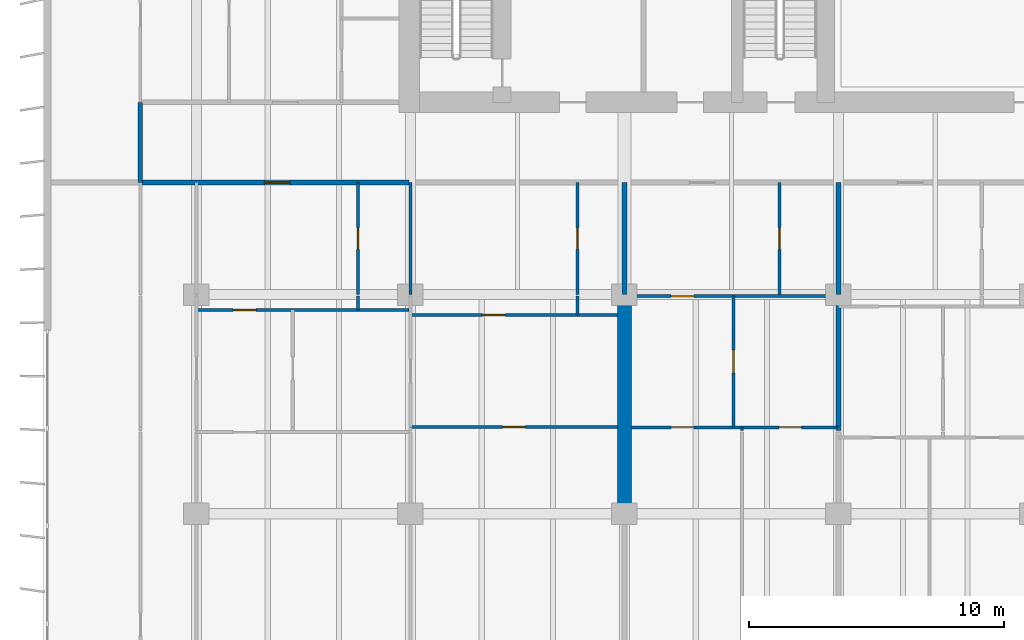
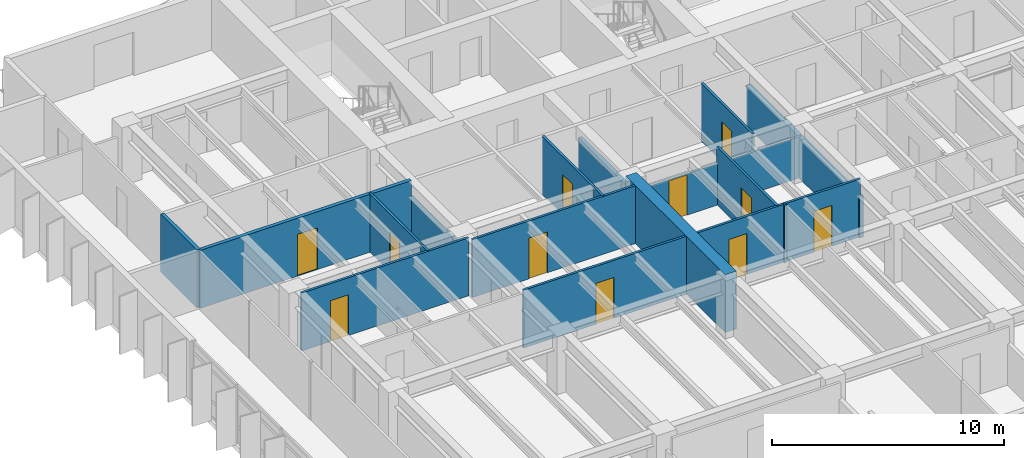
# One storey, part 7 of 19: 20 walls, 11 doors, 11 openings.
"""IFC4 building model written with IfcOpenShell, lengths in metres."""

from ifc_helpers import new_model, si_unit, direction, frame, frame_2d, origin, place, context, subcontext, project, spatial, rectangle, extrude, material, layer, layer_set, type_object, element, fill, save


model = new_model("IFC4")

# Units and contexts
model_context = context("Model", 3, precision=1e-05, world=origin(), true_north=direction((0.0, 1.0)))
body_context = subcontext(model_context, "Body", "Model", "MODEL_VIEW")
ifc_project = project(units=[si_unit("LENGTHUNIT", "METRE"), si_unit("AREAUNIT", "SQUARE_METRE"), si_unit("VOLUMEUNIT", "CUBIC_METRE"), si_unit("PLANEANGLEUNIT", "RADIAN"), si_unit("MASSUNIT", "GRAM", prefix="KILO")], contexts=[model_context])

# Site, building, storey
site_placement = place(None, origin())
site = spatial("IfcSite", under=ifc_project, at=site_placement, CompositionType="ELEMENT")
building_placement = place(site_placement, origin())
building = spatial("IfcBuilding", under=site, at=building_placement, Name="Caelmar Bay Residences", CompositionType="ELEMENT")
storey_placement = place(building_placement, frame((0.0, 0.0, 91.199951171875)))
storey = spatial("IfcBuildingStorey", under=building, at=storey_placement, Name="L24", CompositionType="ELEMENT", Elevation=91.199951171875)

# Walls
ifc_material_1 = material(Name="Concrete f'c 70 MPa (10,000 psi)", Category="concrete")
ifc_layer_1 = layer(ifc_material_1, 0.550048828125)
ifc_layer_set_1 = layer_set([ifc_layer_1], Name="Concrete f'c 70 MPa (10,000 psi)")
wall_type_1 = type_object("IfcWallType", Name="SW-XSLB-550", PredefinedType="SHEAR", material=ifc_layer_set_1)
wall_1_placement = place(storey_placement, frame((26.699951171875, 20.800048828125, 0.0), z_axis=(0.0, 0.0, 1.0), x_axis=(0.0, 1.0, 0.0)))
element("IfcWall", 1, at=wall_1_placement, inside=storey, type_object=wall_type_1, Name="L24 Transverse Cross-Slab Shear Wall W5", PredefinedType="SHEAR", context=body_context, shape_type="SweptSolid", body=[
    extrude(rectangle(XDim=8.599853515625, YDim=0.550048828125, at=frame_2d((4.2998046875, 0.0))), origin(), (0.0, 0.0, 1.0), 3.050048828125),
])
ifc_material_2 = material(Name="Double-stud acoustic fire-rated gypsum partition 180 mm")
ifc_layer_2 = layer(ifc_material_2, 0.179931640625)
ifc_layer_set_2 = layer_set([ifc_layer_2], Name="Double-stud acoustic fire-rated gypsum partition 180 mm")
wall_type_2 = type_object("IfcWallType", Name="W-COR-200", PredefinedType="PARTITIONING", material=ifc_layer_set_2)
wall_2_placement = place(storey_placement, frame((7.699951171875, 33.804931640625, 0.0), z_axis=(0.0, 0.0, 1.0), x_axis=(0.0, 1.0, 0.0)))
element("IfcWall", 2, at=wall_2_placement, inside=storey, type_object=wall_type_2, Name="L24 Partition Wall V005", PredefinedType="PARTITIONING", context=body_context, shape_type="SweptSolid", body=[
    extrude(rectangle(XDim=3.14501953125, YDim=0.179931640625, at=frame_2d((1.572509765625, 0.0))), origin(), (0.0, 0.0, 1.0), 3.050048828125),
])

# Wall, opening, door
wall_3_placement = place(storey_placement, frame((7.705078125, 33.800048828125, 0.0), z_axis=(0.0, 0.0, 1.0), x_axis=(1.0, 0.0, 0.0)))
wall_3 = element("IfcWall", 3, at=wall_3_placement, inside=storey, type_object=wall_type_2, Name="L24 Partition Wall H119", PredefinedType="PARTITIONING", context=body_context, shape_type="SweptSolid", body=[
    extrude(rectangle(XDim=10.544921875, YDim=0.179931640625, at=frame_2d((5.2724609375, 0.0))), origin(), (0.0, 0.0, 1.0), 3.050048828125),
])
opening_1_placement = place(wall_3_placement, frame((4.864990234375, 0.0, 0.0)))
opening_1 = element("IfcOpeningElement", 4, at=opening_1_placement, cuts=wall_3, Name="Opening D-L24-119", PredefinedType="OPENING", context=body_context, shape_type="SweptSolid", body=[
    extrude(rectangle(XDim=1.0, YDim=2.199951171875, at=frame_2d((0.5, 1.10009765625))), frame((0.0, 0.099853515625, 0.0), z_axis=(0.0, -1.0, 0.0), x_axis=(1.0, 0.0, 0.0)), (0.0, 0.0, 1.0), 0.199951171875),
])
ifc_material_3 = material(Name="Fire-rated steel and walnut architectural door assembly", Category="steel")
ifc_layer_3 = layer(ifc_material_3, 0.050048828125)
ifc_layer_set_3 = layer_set([ifc_layer_3], Name="Fire-rated steel and walnut architectural door assembly")
door_type_1 = type_object("IfcDoorType", Name="D-UNIT-1000", OperationType="NOTDEFINED", PredefinedType="DOOR", material=ifc_layer_set_3)
door_1_placement = place(opening_1_placement, origin())
door_1 = element("IfcDoor", 5, at=door_1_placement, inside=storey, type_object=door_type_1, Name="L24 Residence 01 Apartment Hall Door", OperationType="SINGLE_SWING_RIGHT", OverallHeight=2.199951171875, OverallWidth=1.0, PredefinedType="DOOR", context=body_context, shape_type="SweptSolid", body=[
    extrude(rectangle(XDim=1.0, YDim=2.199951171875, at=frame_2d((0.5, 1.10009765625))), frame((0.0, 0.02490234375, 0.0), z_axis=(0.0, -1.0, 0.0), x_axis=(1.0, 0.0, 0.0)), (0.0, 0.0, 1.0), 0.050048828125),
])
fill(opening_1, door_1)

# Wall
ifc_material_4 = material(Name="Acoustic metal-stud gypsum partition 120 mm")
ifc_layer_4 = layer(ifc_material_4, 0.1201171875)
ifc_layer_set_4 = layer_set([ifc_layer_4], Name="Acoustic metal-stud gypsum partition 120 mm")
wall_type_3 = type_object("IfcWallType", Name="W-PRT-120", PredefinedType="PARTITIONING", material=ifc_layer_set_4)
wall_4_placement = place(storey_placement, frame((16.239990234375, 28.800048828125, 0.0), z_axis=(0.0, 0.0, 1.0), x_axis=(0.0, 1.0, 0.0)))
element("IfcWall", 6, at=wall_4_placement, inside=storey, type_object=wall_type_3, Name="L24 Partition Wall V017", PredefinedType="PARTITIONING", context=body_context, shape_type="SweptSolid", body=[
    extrude(rectangle(XDim=0.5400390625, YDim=0.1201171875, at=frame_2d((0.27001953125, 0.0))), origin(), (0.0, 0.0, 1.0), 3.050048828125),
])

# Wall, opening, door
wall_5_placement = place(storey_placement, frame((16.239990234375, 29.39990234375, 0.0), z_axis=(0.0, 0.0, 1.0), x_axis=(0.0, 1.0, 0.0)))
wall_5 = element("IfcWall", 7, at=wall_5_placement, inside=storey, type_object=wall_type_3, Name="L24 Partition Wall V018", PredefinedType="PARTITIONING", context=body_context, shape_type="SweptSolid", body=[
    extrude(rectangle(XDim=4.400146484375, YDim=0.1201171875, at=frame_2d((2.2001953125, 0.0))), origin(), (0.0, 0.0, 1.0), 3.050048828125),
])
opening_2_placement = place(wall_5_placement, frame((1.77490234375, 0.0, 0.0)))
opening_2 = element("IfcOpeningElement", 8, at=opening_2_placement, cuts=wall_5, Name="Opening D-L24-120", PredefinedType="OPENING", context=body_context, shape_type="SweptSolid", body=[
    extrude(rectangle(XDim=0.85009765625, YDim=2.10009765625, at=frame_2d((0.425048828125, 1.050048828125))), frame((0.0, 0.070068359375, 0.0), z_axis=(0.0, -1.0, 0.0), x_axis=(1.0, 0.0, 0.0)), (0.0, 0.0, 1.0), 0.14013671875),
])
ifc_material_5 = material(Name="Solid walnut timber interior door leaf and frame", Category="wood")
ifc_layer_5 = layer(ifc_material_5, 0.050048828125)
ifc_layer_set_5 = layer_set([ifc_layer_5], Name="Solid walnut timber interior door leaf and frame")
door_type_2 = type_object("IfcDoorType", Name="D-BATH-850", OperationType="NOTDEFINED", PredefinedType="DOOR", material=ifc_layer_set_5)
door_2_placement = place(opening_2_placement, origin())
door_2 = element("IfcDoor", 9, at=door_2_placement, inside=storey, type_object=door_type_2, Name="L24 Residence 01 Guest Bathroom Door", OperationType="SINGLE_SWING_LEFT", OverallHeight=2.10009765625, OverallWidth=0.85009765625, PredefinedType="DOOR", context=body_context, shape_type="SweptSolid", body=[
    extrude(rectangle(XDim=0.85009765625, YDim=2.10009765625, at=frame_2d((0.425048828125, 1.050048828125))), frame((0.0, 0.02490234375, 0.0), z_axis=(0.0, -1.0, 0.0), x_axis=(1.0, 0.0, 0.0)), (0.0, 0.0, 1.0), 0.050048828125),
])
fill(opening_2, door_2)

# Walls
wall_6_placement = place(storey_placement, frame((18.300048828125, 29.39990234375, 0.0), z_axis=(0.0, 0.0, 1.0), x_axis=(0.0, 1.0, 0.0)))
element("IfcWall", 10, at=wall_6_placement, inside=storey, type_object=wall_type_3, Name="L24 Partition Wall V023", PredefinedType="PARTITIONING", context=body_context, shape_type="SweptSolid", body=[
    extrude(rectangle(XDim=4.400146484375, YDim=0.1201171875, at=frame_2d((2.2001953125, 0.0))), origin(), (0.0, 0.0, 1.0), 2.174072265625),
])
wall_7_placement = place(storey_placement, frame((24.85400390625, 28.60009765625, 0.0), z_axis=(0.0, 0.0, 1.0), x_axis=(0.0, 1.0, 0.0)))
element("IfcWall", 11, at=wall_7_placement, inside=storey, type_object=wall_type_3, Name="L24 Partition Wall V025", PredefinedType="PARTITIONING", context=body_context, shape_type="SweptSolid", body=[
    extrude(rectangle(XDim=0.739990234375, YDim=0.1201171875, at=frame_2d((0.3701171875, 0.0))), origin(), (0.0, 0.0, 1.0), 3.050048828125),
])

# Wall, opening, door
wall_8_placement = place(storey_placement, frame((24.85400390625, 29.39990234375, 0.0), z_axis=(0.0, 0.0, 1.0), x_axis=(0.0, 1.0, 0.0)))
wall_8 = element("IfcWall", 12, at=wall_8_placement, inside=storey, type_object=wall_type_3, Name="L24 Partition Wall V026", PredefinedType="PARTITIONING", context=body_context, shape_type="SweptSolid", body=[
    extrude(rectangle(XDim=4.400146484375, YDim=0.1201171875, at=frame_2d((2.2001953125, 0.0))), origin(), (0.0, 0.0, 1.0), 3.050048828125),
])
opening_3_placement = place(wall_8_placement, frame((1.77490234375, 0.0, 0.0)))
opening_3 = element("IfcOpeningElement", 13, at=opening_3_placement, cuts=wall_8, Name="Opening D-L24-126", PredefinedType="OPENING", context=body_context, shape_type="SweptSolid", body=[
    extrude(rectangle(XDim=0.85009765625, YDim=2.10009765625, at=frame_2d((0.425048828125, 1.050048828125))), frame((0.0, 0.070068359375, 0.0), z_axis=(0.0, -1.0, 0.0), x_axis=(1.0, 0.0, 0.0)), (0.0, 0.0, 1.0), 0.14013671875),
])
door_3_placement = place(opening_3_placement, origin())
door_3 = element("IfcDoor", 14, at=door_3_placement, inside=storey, type_object=door_type_2, Name="L24 Residence 01 En-Suite Bathroom 1 Door", OperationType="SINGLE_SWING_LEFT", OverallHeight=2.10009765625, OverallWidth=0.85009765625, PredefinedType="DOOR", context=body_context, shape_type="SweptSolid", body=[
    extrude(rectangle(XDim=0.85009765625, YDim=2.10009765625, at=frame_2d((0.425048828125, 1.050048828125))), frame((0.0, 0.02490234375, 0.0), z_axis=(0.0, -1.0, 0.0), x_axis=(1.0, 0.0, 0.0)), (0.0, 0.0, 1.0), 0.050048828125),
])
fill(opening_3, door_3)

wall_9_placement = place(storey_placement, frame((30.986083984375, 24.199951171875, 0.0), z_axis=(0.0, 0.0, 1.0), x_axis=(0.0, 1.0, 0.0)))
wall_9 = element("IfcWall", 15, at=wall_9_placement, inside=storey, type_object=wall_type_3, Name="L24 Partition Wall V033", PredefinedType="PARTITIONING", context=body_context, shape_type="SweptSolid", body=[
    extrude(rectangle(XDim=5.14013671875, YDim=0.1201171875, at=frame_2d((2.570068359375, 0.0))), origin(), (0.0, 0.0, 1.0), 3.050048828125),
])
opening_4_placement = place(wall_9_placement, frame((2.1201171875, 0.0, 0.0)))
opening_4 = element("IfcOpeningElement", 16, at=opening_4_placement, cuts=wall_9, Name="Opening D-L24-133", PredefinedType="OPENING", context=body_context, shape_type="SweptSolid", body=[
    extrude(rectangle(XDim=0.89990234375, YDim=2.14990234375, at=frame_2d((0.449951171875, 1.074951171875))), frame((0.0, 0.070068359375, 0.0), z_axis=(0.0, -1.0, 0.0), x_axis=(1.0, 0.0, 0.0)), (0.0, 0.0, 1.0), 0.14013671875),
])
ifc_layer_6 = layer(ifc_material_5, 0.050048828125)
ifc_layer_set_6 = layer_set([ifc_layer_6], Name="Solid walnut timber interior door leaf and frame")
door_type_3 = type_object("IfcDoorType", Name="D-ROOM-900", OperationType="NOTDEFINED", PredefinedType="DOOR", material=ifc_layer_set_6)
door_4_placement = place(opening_4_placement, origin())
door_4 = element("IfcDoor", 17, at=door_4_placement, inside=storey, type_object=door_type_3, Name="L24 Residence 02 Home Office Door", OperationType="SINGLE_SWING_RIGHT", OverallHeight=2.14990234375, OverallWidth=0.89990234375, PredefinedType="DOOR", context=body_context, shape_type="SweptSolid", body=[
    extrude(rectangle(XDim=0.89990234375, YDim=2.14990234375, at=frame_2d((0.449951171875, 1.074951171875))), frame((0.0, 0.02490234375, 0.0), z_axis=(0.0, -1.0, 0.0), x_axis=(1.0, 0.0, 0.0)), (0.0, 0.0, 1.0), 0.050048828125),
])
fill(opening_4, door_4)

# Wall
wall_10_placement = place(storey_placement, frame((31.320068359375, 24.070068359375, 0.0), z_axis=(0.0, 0.0, 1.0), x_axis=(0.0, 1.0, 0.0)))
element("IfcWall", 18, at=wall_10_placement, inside=storey, type_object=wall_type_3, Name="L24 Partition Wall V036", PredefinedType="PARTITIONING", context=body_context, shape_type="SweptSolid", body=[
    extrude(rectangle(XDim=0.119873046875, YDim=0.1201171875, at=frame_2d((0.06005859375, 0.0))), origin(), (0.0, 0.0, 1.0), 3.050048828125),
])

# Wall, opening, door
wall_11_placement = place(storey_placement, frame((32.791015625, 29.39990234375, 0.0), z_axis=(0.0, 0.0, 1.0), x_axis=(0.0, 1.0, 0.0)))
wall_11 = element("IfcWall", 19, at=wall_11_placement, inside=storey, type_object=wall_type_3, Name="L24 Partition Wall V037", PredefinedType="PARTITIONING", context=body_context, shape_type="SweptSolid", body=[
    extrude(rectangle(XDim=4.400146484375, YDim=0.1201171875, at=frame_2d((2.2001953125, 0.0))), origin(), (0.0, 0.0, 1.0), 3.050048828125),
])
opening_5_placement = place(wall_11_placement, frame((1.77490234375, 0.0, 0.0)))
opening_5 = element("IfcOpeningElement", 20, at=opening_5_placement, cuts=wall_11, Name="Opening D-L24-131", PredefinedType="OPENING", context=body_context, shape_type="SweptSolid", body=[
    extrude(rectangle(XDim=0.85009765625, YDim=2.10009765625, at=frame_2d((0.425048828125, 1.050048828125))), frame((0.0, 0.070068359375, 0.0), z_axis=(0.0, -1.0, 0.0), x_axis=(1.0, 0.0, 0.0)), (0.0, 0.0, 1.0), 0.14013671875),
])
door_5_placement = place(opening_5_placement, origin())
door_5 = element("IfcDoor", 21, at=door_5_placement, inside=storey, type_object=door_type_2, Name="L24 Residence 02 Bathroom Door", OperationType="SINGLE_SWING_RIGHT", OverallHeight=2.10009765625, OverallWidth=0.85009765625, PredefinedType="DOOR", context=body_context, shape_type="SweptSolid", body=[
    extrude(rectangle(XDim=0.85009765625, YDim=2.10009765625, at=frame_2d((0.425048828125, 1.050048828125))), frame((0.0, 0.02490234375, 0.0), z_axis=(0.0, -1.0, 0.0), x_axis=(1.0, 0.0, 0.0)), (0.0, 0.0, 1.0), 0.050048828125),
])
fill(opening_5, door_5)

# Wall, openings, doors
wall_12_placement = place(storey_placement, frame((26.969970703125, 24.18994140625, 0.0), z_axis=(0.0, 0.0, 1.0), x_axis=(1.0, 0.0, 0.0)))
wall_12 = element("IfcWall", 22, at=wall_12_placement, inside=storey, type_object=wall_type_3, Name="L24 Partition Wall H108", PredefinedType="PARTITIONING", context=body_context, shape_type="SweptSolid", body=[
    extrude(rectangle(XDim=8.130126953125, YDim=0.1201171875, at=frame_2d((4.06494140625, 0.0))), origin(), (0.0, 0.0, 1.0), 3.050048828125),
])
opening_6_placement = place(wall_12_placement, frame((1.55810546875, 0.0, 0.0)))
opening_6 = element("IfcOpeningElement", 23, at=opening_6_placement, cuts=wall_12, Name="Opening D-L24-134", PredefinedType="OPENING", context=body_context, shape_type="SweptSolid", body=[
    extrude(rectangle(XDim=0.89990234375, YDim=2.14990234375, at=frame_2d((0.449951171875, 1.074951171875))), frame((0.0, 0.070068359375, 0.0), z_axis=(0.0, -1.0, 0.0), x_axis=(1.0, 0.0, 0.0)), (0.0, 0.0, 1.0), 0.14013671875),
])
opening_7_placement = place(wall_12_placement, frame((5.7900390625, 0.0, 0.0)))
opening_7 = element("IfcOpeningElement", 24, at=opening_7_placement, cuts=wall_12, Name="Opening D-L24-135", PredefinedType="OPENING", context=body_context, shape_type="SweptSolid", body=[
    extrude(rectangle(XDim=0.89990234375, YDim=2.14990234375, at=frame_2d((0.449951171875, 1.074951171875))), frame((0.0, 0.070068359375, 0.0), z_axis=(0.0, -1.0, 0.0), x_axis=(1.0, 0.0, 0.0)), (0.0, 0.0, 1.0), 0.14013671875),
])
door_6_placement = place(opening_6_placement, origin())
door_6 = element("IfcDoor", 25, at=door_6_placement, inside=storey, type_object=door_type_3, Name="L24 Residence 02 Penthouse Living Salon Door", OperationType="SINGLE_SWING_LEFT", OverallHeight=2.14990234375, OverallWidth=0.89990234375, PredefinedType="DOOR", context=body_context, shape_type="SweptSolid", body=[
    extrude(rectangle(XDim=0.89990234375, YDim=2.14990234375, at=frame_2d((0.449951171875, 1.074951171875))), frame((0.0, 0.02490234375, 0.0), z_axis=(0.0, -1.0, 0.0), x_axis=(1.0, 0.0, 0.0)), (0.0, 0.0, 1.0), 0.050048828125),
])
fill(opening_6, door_6)
door_7_placement = place(opening_7_placement, origin())
door_7 = element("IfcDoor", 26, at=door_7_placement, inside=storey, type_object=door_type_3, Name="L24 Residence 02 Penthouse Sitting Room Door", OperationType="SINGLE_SWING_RIGHT", OverallHeight=2.14990234375, OverallWidth=0.89990234375, PredefinedType="DOOR", context=body_context, shape_type="SweptSolid", body=[
    extrude(rectangle(XDim=0.89990234375, YDim=2.14990234375, at=frame_2d((0.449951171875, 1.074951171875))), frame((0.0, 0.02490234375, 0.0), z_axis=(0.0, -1.0, 0.0), x_axis=(1.0, 0.0, 0.0)), (0.0, 0.0, 1.0), 0.050048828125),
])
fill(opening_7, door_7)

# Wall, opening, door
wall_13_placement = place(storey_placement, frame((18.300048828125, 24.199951171875, 0.0), z_axis=(0.0, 0.0, 1.0), x_axis=(1.0, 0.0, 0.0)))
wall_13 = element("IfcWall", 27, at=wall_13_placement, inside=storey, type_object=wall_type_3, Name="L24 Partition Wall H109", PredefinedType="PARTITIONING", context=body_context, shape_type="SweptSolid", body=[
    extrude(rectangle(XDim=8.1298828125, YDim=0.1201171875, at=frame_2d((4.06494140625, 0.0))), origin(), (0.0, 0.0, 1.0), 3.050048828125),
])
opening_8_placement = place(wall_13_placement, frame((3.614990234375, 0.0, 0.0)))
opening_8 = element("IfcOpeningElement", 28, at=opening_8_placement, cuts=wall_13, Name="Opening D-L24-127", PredefinedType="OPENING", context=body_context, shape_type="SweptSolid", body=[
    extrude(rectangle(XDim=0.89990234375, YDim=2.14990234375, at=frame_2d((0.449951171875, 1.074951171875))), frame((0.0, 0.070068359375, 0.0), z_axis=(0.0, -1.0, 0.0), x_axis=(1.0, 0.0, 0.0)), (0.0, 0.0, 1.0), 0.14013671875),
])
door_8_placement = place(opening_8_placement, origin())
door_8 = element("IfcDoor", 29, at=door_8_placement, inside=storey, type_object=door_type_3, Name="L24 Residence 01 Penthouse Sitting Salon 1 Door", OperationType="SINGLE_SWING_RIGHT", OverallHeight=2.14990234375, OverallWidth=0.89990234375, PredefinedType="DOOR", context=body_context, shape_type="SweptSolid", body=[
    extrude(rectangle(XDim=0.89990234375, YDim=2.14990234375, at=frame_2d((0.449951171875, 1.074951171875))), frame((0.0, 0.02490234375, 0.0), z_axis=(0.0, -1.0, 0.0), x_axis=(1.0, 0.0, 0.0)), (0.0, 0.0, 1.0), 0.050048828125),
])
fill(opening_8, door_8)

wall_14_placement = place(storey_placement, frame((18.300048828125, 28.60009765625, 0.0), z_axis=(0.0, 0.0, 1.0), x_axis=(1.0, 0.0, 0.0)))
wall_14 = element("IfcWall", 30, at=wall_14_placement, inside=storey, type_object=wall_type_3, Name="L24 Partition Wall H111", PredefinedType="PARTITIONING", context=body_context, shape_type="SweptSolid", body=[
    extrude(rectangle(XDim=8.1298828125, YDim=0.1201171875, at=frame_2d((4.06494140625, 0.0))), origin(), (0.0, 0.0, 1.0), 3.050048828125),
])
opening_9_placement = place(wall_14_placement, frame((2.826904296875, 0.0, 0.0)))
opening_9 = element("IfcOpeningElement", 31, at=opening_9_placement, cuts=wall_14, Name="Opening D-L24-125", PredefinedType="OPENING", context=body_context, shape_type="SweptSolid", body=[
    extrude(rectangle(XDim=0.89990234375, YDim=2.14990234375, at=frame_2d((0.449951171875, 1.074951171875))), frame((0.0, 0.070068359375, 0.0), z_axis=(0.0, -1.0, 0.0), x_axis=(1.0, 0.0, 0.0)), (0.0, 0.0, 1.0), 0.14013671875),
])
door_9_placement = place(opening_9_placement, origin())
door_9 = element("IfcDoor", 32, at=door_9_placement, inside=storey, type_object=door_type_3, Name="L24 Residence 01 Home Office 1 Door", OperationType="SINGLE_SWING_RIGHT", OverallHeight=2.14990234375, OverallWidth=0.89990234375, PredefinedType="DOOR", context=body_context, shape_type="SweptSolid", body=[
    extrude(rectangle(XDim=0.89990234375, YDim=2.14990234375, at=frame_2d((0.449951171875, 1.074951171875))), frame((0.0, 0.02490234375, 0.0), z_axis=(0.0, -1.0, 0.0), x_axis=(1.0, 0.0, 0.0)), (0.0, 0.0, 1.0), 0.050048828125),
])
fill(opening_9, door_9)

wall_15_placement = place(storey_placement, frame((9.89990234375, 28.800048828125, 0.0), z_axis=(0.0, 0.0, 1.0), x_axis=(1.0, 0.0, 0.0)))
wall_15 = element("IfcWall", 33, at=wall_15_placement, inside=storey, type_object=wall_type_3, Name="L24 Partition Wall H113", PredefinedType="PARTITIONING", context=body_context, shape_type="SweptSolid", body=[
    extrude(rectangle(XDim=8.35009765625, YDim=0.1201171875, at=frame_2d((4.175048828125, 0.0))), origin(), (0.0, 0.0, 1.0), 3.050048828125),
])
opening_10_placement = place(wall_15_placement, frame((1.43994140625, 0.0, 0.0)))
opening_10 = element("IfcOpeningElement", 34, at=opening_10_placement, cuts=wall_15, Name="Opening D-L24-121", PredefinedType="OPENING", context=body_context, shape_type="SweptSolid", body=[
    extrude(rectangle(XDim=0.89990234375, YDim=2.14990234375, at=frame_2d((0.449951171875, 1.074951171875))), frame((0.0, 0.070068359375, 0.0), z_axis=(0.0, -1.0, 0.0), x_axis=(1.0, 0.0, 0.0)), (0.0, 0.0, 1.0), 0.14013671875),
])
door_10_placement = place(opening_10_placement, origin())
door_10 = element("IfcDoor", 35, at=door_10_placement, inside=storey, type_object=door_type_3, Name="L24 Residence 01 Dining Room Door", OperationType="SINGLE_SWING_RIGHT", OverallHeight=2.14990234375, OverallWidth=0.89990234375, PredefinedType="DOOR", context=body_context, shape_type="SweptSolid", body=[
    extrude(rectangle(XDim=0.89990234375, YDim=2.14990234375, at=frame_2d((0.449951171875, 1.074951171875))), frame((0.0, 0.02490234375, 0.0), z_axis=(0.0, -1.0, 0.0), x_axis=(1.0, 0.0, 0.0)), (0.0, 0.0, 1.0), 0.050048828125),
])
fill(opening_10, door_10)

wall_16_placement = place(storey_placement, frame((26.969970703125, 29.340087890625, 0.0), z_axis=(0.0, 0.0, 1.0), x_axis=(1.0, 0.0, 0.0)))
wall_16 = element("IfcWall", 36, at=wall_16_placement, inside=storey, type_object=wall_type_3, Name="L24 Partition Wall H117", PredefinedType="PARTITIONING", context=body_context, shape_type="SweptSolid", body=[
    extrude(rectangle(XDim=8.130126953125, YDim=0.1201171875, at=frame_2d((4.06494140625, 0.0))), origin(), (0.0, 0.0, 1.0), 2.174072265625),
])
opening_11_placement = place(wall_16_placement, frame((1.55810546875, 0.0, 0.0)))
opening_11 = element("IfcOpeningElement", 37, at=opening_11_placement, cuts=wall_16, Name="Opening D-L24-132", PredefinedType="OPENING", context=body_context, shape_type="SweptSolid", body=[
    extrude(rectangle(XDim=0.89990234375, YDim=2.1240234375, at=frame_2d((0.449951171875, 1.06201171875))), frame((0.0, 0.070068359375, 0.0), z_axis=(0.0, -1.0, 0.0), x_axis=(1.0, 0.0, 0.0)), (0.0, 0.0, 1.0), 0.14013671875),
])
door_11_placement = place(opening_11_placement, origin())
door_11 = element("IfcDoor", 38, at=door_11_placement, inside=storey, type_object=door_type_3, Name="L24 Residence 02 Kitchen Door", OperationType="SINGLE_SWING_LEFT", OverallHeight=2.1240234375, OverallWidth=0.89990234375, PredefinedType="DOOR", context=body_context, shape_type="SweptSolid", body=[
    extrude(rectangle(XDim=0.89990234375, YDim=2.1240234375, at=frame_2d((0.449951171875, 1.06201171875))), frame((0.0, 0.02490234375, 0.0), z_axis=(0.0, -1.0, 0.0), x_axis=(1.0, 0.0, 0.0)), (0.0, 0.0, 1.0), 0.050048828125),
])
fill(opening_11, door_11)

# Walls
ifc_material_6 = material(Name="Acoustic twin-stud fire-rated inter-tenancy partition 200 mm")
ifc_layer_7 = layer(ifc_material_6, 0.199951171875)
ifc_layer_set_7 = layer_set([ifc_layer_7], Name="Acoustic twin-stud fire-rated inter-tenancy partition 200 mm")
wall_type_4 = type_object("IfcWallType", Name="W-PTY-200", PredefinedType="PARTITIONING", material=ifc_layer_set_7)
wall_17_placement = place(storey_placement, frame((26.699951171875, 29.405029296875, 0.0), z_axis=(0.0, 0.0, 1.0), x_axis=(0.0, 1.0, 0.0)))
element("IfcWall", 39, at=wall_17_placement, inside=storey, type_object=wall_type_4, Name="L24 Partition Wall V030", PredefinedType="PARTITIONING", context=body_context, shape_type="SweptSolid", body=[
    extrude(rectangle(XDim=4.39501953125, YDim=0.199951171875, at=frame_2d((2.197509765625, 0.0))), origin(), (0.0, 0.0, 1.0), 2.3349609375),
])
wall_18_placement = place(storey_placement, frame((35.10009765625, 24.070068359375, 0.0), z_axis=(0.0, 0.0, 1.0), x_axis=(0.0, 1.0, 0.0)))
element("IfcWall", 40, at=wall_18_placement, inside=storey, type_object=wall_type_4, Name="L24 Partition Wall V040", PredefinedType="PARTITIONING", context=body_context, shape_type="SweptSolid", body=[
    extrude(rectangle(XDim=0.119873046875, YDim=0.199951171875, at=frame_2d((0.06005859375, 0.0))), origin(), (0.0, 0.0, 1.0), 2.174072265625),
])
wall_19_placement = place(storey_placement, frame((35.10009765625, 24.199951171875, 0.0), z_axis=(0.0, 0.0, 1.0), x_axis=(0.0, 1.0, 0.0)))
element("IfcWall", 41, at=wall_19_placement, inside=storey, type_object=wall_type_4, Name="L24 Partition Wall V041", PredefinedType="PARTITIONING", context=body_context, shape_type="SweptSolid", body=[
    extrude(rectangle(XDim=5.14013671875, YDim=0.199951171875, at=frame_2d((2.570068359375, 0.0))), origin(), (0.0, 0.0, 1.0), 2.174072265625),
])
wall_20_placement = place(storey_placement, frame((35.10009765625, 29.39990234375, 0.0), z_axis=(0.0, 0.0, 1.0), x_axis=(0.0, 1.0, 0.0)))
element("IfcWall", 42, at=wall_20_placement, inside=storey, type_object=wall_type_4, Name="L24 Partition Wall V042", PredefinedType="PARTITIONING", context=body_context, shape_type="SweptSolid", body=[
    extrude(rectangle(XDim=4.400146484375, YDim=0.199951171875, at=frame_2d((2.2001953125, 0.0))), origin(), (0.0, 0.0, 1.0), 2.174072265625),
])

save(model, "model.ifc")
